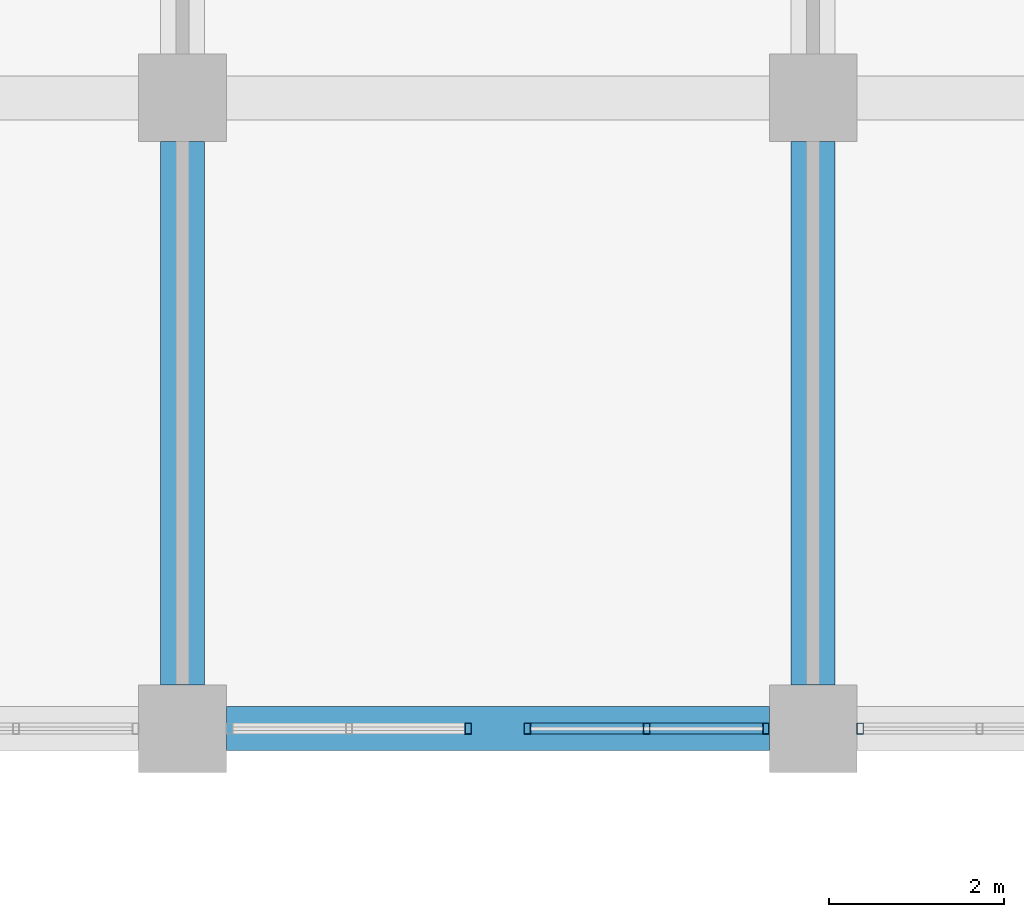
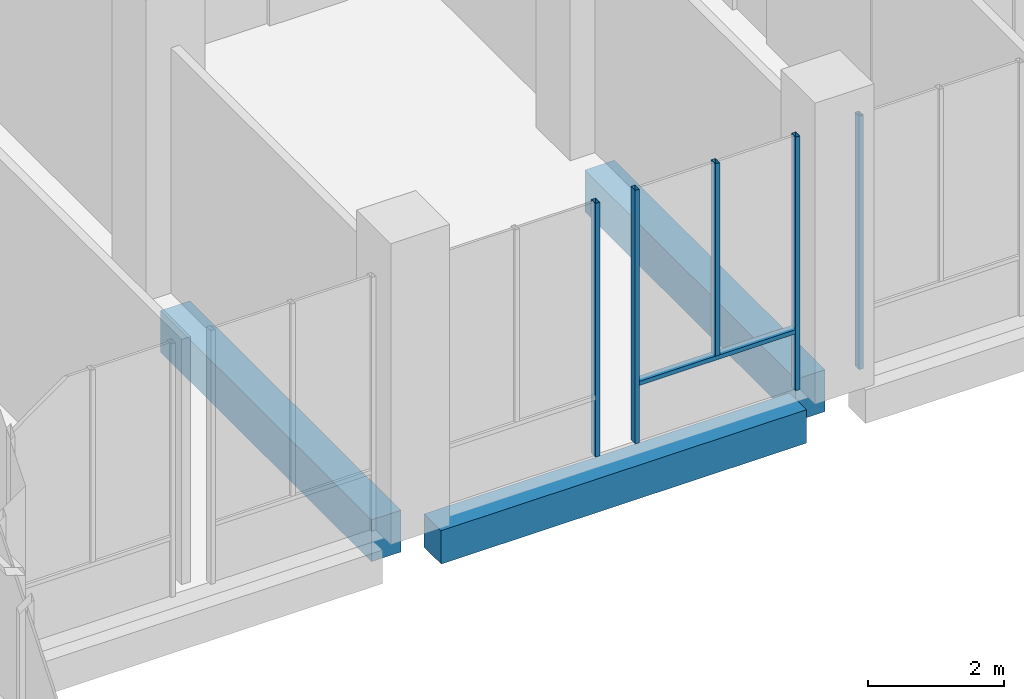
# One storey, part 8 of 48: 6 members, 3 beams, 3 elements without a shape of their own.
"""IFC4 building model written with IfcOpenShell, lengths in metres."""

from ifc_helpers import new_model, si_unit, direction, frame, origin, origin_2d, place, context, subcontext, project, spatial, rectangle, hollow_rectangle, extrude, material, material_profile, profile_set, type_object, element, aggregate, save


model = new_model("IFC4")

# Units and contexts
model_context = context("Model", 3, precision=1e-05, world=origin(), true_north=direction((0.0, 1.0)))
body_context = subcontext(model_context, "Body", "Model", "MODEL_VIEW")
ifc_project = project(units=[si_unit("LENGTHUNIT", "METRE"), si_unit("AREAUNIT", "SQUARE_METRE"), si_unit("VOLUMEUNIT", "CUBIC_METRE"), si_unit("PLANEANGLEUNIT", "RADIAN"), si_unit("MASSUNIT", "GRAM", prefix="KILO")], contexts=[model_context])

# Site, building, storey
site_placement = place(None, origin())
site = spatial("IfcSite", under=ifc_project, at=site_placement, CompositionType="ELEMENT")
building_placement = place(site_placement, origin())
building = spatial("IfcBuilding", under=site, at=building_placement, Name="Silangan Lancet Faculty of Sciences", CompositionType="ELEMENT")
storey_placement = place(building_placement, frame((0.0, 0.0, 6.0)))
storey = spatial("IfcBuildingStorey", under=building, at=storey_placement, Name="L01", CompositionType="ELEMENT", Elevation=6.0)

# Beams
ifc_material_1 = material(Name="Concrete C40/50", Category="concrete")
ifc_material_profile_1 = material_profile(ifc_material_1, rectangle(XDim=0.5, YDim=0.60009765625, at=origin_2d()), Name="RC 500x600")
ifc_profile_set_1 = profile_set([ifc_material_profile_1], Name="Concrete C40/50")
beam_type_1 = type_object("IfcBeamType", Name="BEAM RC 500x600", PredefinedType="BEAM", material=ifc_profile_set_1)
beam_placement = place(storey_placement, frame((7.699951171875, 36.0, -0.550048828125), z_axis=(1.0, 0.0, 0.0), x_axis=(0.0, 1.0, 0.0)))
element("IfcBeam", 1, at=beam_placement, inside=storey, type_object=beam_type_1, Name="BM-L01-2F-3F", PredefinedType="BEAM", context=body_context, shape_type="SweptSolid", body=[
    extrude(rectangle(XDim=0.5, YDim=0.60009765625, at=origin_2d()), origin(), (0.0, 0.0, 1.0), 6.199951171875),
])
ifc_material_2 = material(Name="Concrete C40/50", Category="concrete")
ifc_material_profile_2 = material_profile(ifc_material_2, rectangle(XDim=0.5, YDim=0.75, at=origin_2d()), Name="RC 500x750")
ifc_profile_set_2 = profile_set([ifc_material_profile_2], Name="Concrete C40/50")
beam_type_2 = type_object("IfcBeamType", Name="BEAM RC 500x750", PredefinedType="BEAM", material=ifc_profile_set_2)
for number, where, z_axis, x_axis, name in (
    (2, (7.199951171875, 36.5, -0.625), (0.0, 1.0, 0.0), (-1.0, 0.0, 0.0), "BM-L01-2F-2G"),
    (3, (14.39990234375, 36.5, -0.625), (0.0, 1.0, 0.0), (-1.0, 0.0, 0.0), "BM-L01-3F-3G"),
):
    element("IfcBeam", number, at=place(storey_placement, frame(where, z_axis=z_axis, x_axis=x_axis)), inside=storey, type_object=beam_type_2, Name=name, PredefinedType="BEAM", context=body_context, shape_type="SweptSolid", body=[
        extrude(rectangle(XDim=0.5, YDim=0.75, at=origin_2d()), origin(), (0.0, 0.0, 1.0), 6.199951171875),
    ])

# Curtain wall, member
ifc_material_3 = material(Name="Aluminium framed curtain wall with insulated glass", Category="aluminium")
curtain_wall_type = type_object("IfcCurtainWallType", Name="CW2 Atrium fire-resisting screen", PredefinedType="NOTDEFINED", material=ifc_material_3)
curtain_wall_1_placement = place(storey_placement, origin())
curtain_wall_1 = element("IfcCurtainWall", 4, at=curtain_wall_1_placement, inside=storey, type_object=curtain_wall_type, Name="CW2 Atrium north L01 bay 3", PredefinedType="NOTDEFINED")
ifc_material_4 = material(Name="Steel S355J2H", Category="steel")
ifc_material_profile_3 = material_profile(ifc_material_4, hollow_rectangle(XDim=0.074951171875, YDim=0.125, WallThickness=0.0048828125, at=origin_2d()), Name="ST BOX 75x125x5")
ifc_profile_set_3 = profile_set([ifc_material_profile_3], Name="Steel S355J2H")
member_type_1 = type_object("IfcMemberType", Name="CM2 Mullion 75x125", PredefinedType="MULLION", material=ifc_profile_set_3)
member_1_placement = place(storey_placement, frame((10.46240234375, 36.0, 0.0), z_axis=(0.0, 0.0, 1.0), x_axis=(1.0, 0.0, 0.0)))
member_1 = element("IfcMember", 5, at=member_1_placement, type_object=member_type_1, Name="CW2 Atrium north L01 bay 3 mullion 2", PredefinedType="MULLION", context=body_context, shape_type="SweptSolid", body=[
    extrude(hollow_rectangle(XDim=0.074951171875, YDim=0.125, WallThickness=0.0048828125, at=origin_2d()), origin(), (0.0, 0.0, 1.0), 4.550048828125),
])
aggregate(curtain_wall_1, [member_1])

# Curtain wall, members
curtain_wall_2_placement = place(storey_placement, origin())
curtain_wall_2 = element("IfcCurtainWall", 6, at=curtain_wall_2_placement, inside=storey, type_object=curtain_wall_type, Name="CW2 Atrium north L01 bay 4", PredefinedType="NOTDEFINED")
member_2_placement = place(storey_placement, frame((11.137451171875, 36.0, 0.0), z_axis=(0.0, 0.0, 1.0), x_axis=(1.0, 0.0, 0.0)))
member_2 = element("IfcMember", 7, at=member_2_placement, type_object=member_type_1, Name="CW2 Atrium north L01 bay 4 mullion 1", PredefinedType="MULLION", context=body_context, shape_type="SweptSolid", body=[
    extrude(hollow_rectangle(XDim=0.074951171875, YDim=0.125, WallThickness=0.0048828125, at=origin_2d()), origin(), (0.0, 0.0, 1.0), 4.550048828125),
])
member_3_placement = place(storey_placement, frame((13.862548828125, 36.0, 0.0), z_axis=(0.0, 0.0, 1.0), x_axis=(1.0, 0.0, 0.0)))
member_3 = element("IfcMember", 8, at=member_3_placement, type_object=member_type_1, Name="CW2 Atrium north L01 bay 4 mullion 2", PredefinedType="MULLION", context=body_context, shape_type="SweptSolid", body=[
    extrude(hollow_rectangle(XDim=0.074951171875, YDim=0.125, WallThickness=0.0048828125, at=origin_2d()), origin(), (0.0, 0.0, 1.0), 4.550048828125),
])
member_4_placement = place(storey_placement, frame((12.5, 36.0, 1.10009765625), z_axis=(0.0, 0.0, 1.0), x_axis=(1.0, 0.0, 0.0)))
member_4 = element("IfcMember", 9, at=member_4_placement, type_object=member_type_1, Name="CW2 Atrium north L01 bay 4 mullion 3", PredefinedType="MULLION", context=body_context, shape_type="SweptSolid", body=[
    extrude(hollow_rectangle(XDim=0.074951171875, YDim=0.125, WallThickness=0.0048828125, at=origin_2d()), origin(), (0.0, 0.0, 1.0), 3.449951171875),
])

# Curtain wall, member
curtain_wall_3_placement = place(storey_placement, origin())
curtain_wall_3 = element("IfcCurtainWall", 10, at=curtain_wall_3_placement, inside=storey, type_object=curtain_wall_type, Name="CW2 Atrium north L01 bay 5", PredefinedType="NOTDEFINED")
member_5_placement = place(storey_placement, frame((14.9375, 36.0, 0.0), z_axis=(0.0, 0.0, 1.0), x_axis=(1.0, 0.0, 0.0)))
member_5 = element("IfcMember", 11, at=member_5_placement, type_object=member_type_1, Name="CW2 Atrium north L01 bay 5 mullion 1", PredefinedType="MULLION", context=body_context, shape_type="SweptSolid", body=[
    extrude(hollow_rectangle(XDim=0.074951171875, YDim=0.125, WallThickness=0.0048828125, at=origin_2d()), origin(), (0.0, 0.0, 1.0), 4.550048828125),
])
aggregate(curtain_wall_3, [member_5])

# Member
ifc_material_5 = material(Name="Steel S355J2H", Category="steel")
ifc_material_profile_4 = material_profile(ifc_material_5, hollow_rectangle(XDim=0.125, YDim=0.074951171875, WallThickness=0.0048828125, at=origin_2d()), Name="ST BOX 125x75x5")
ifc_profile_set_4 = profile_set([ifc_material_profile_4], Name="Steel S355J2H")
member_type_2 = type_object("IfcMemberType", Name="CT2 Transom 125x75", PredefinedType="USERDEFINED", material=ifc_profile_set_4)
member_6_placement = place(storey_placement, frame((11.175048828125, 36.0, 1.0625), z_axis=(1.0, 0.0, 0.0), x_axis=(0.0, 1.0, 0.0)))
member_6 = element("IfcMember", 12, at=member_6_placement, type_object=member_type_2, Name="CW2 Atrium north L01 bay 4 transom 1", ObjectType="TRANSOM", PredefinedType="USERDEFINED", context=body_context, shape_type="SweptSolid", body=[
    extrude(hollow_rectangle(XDim=0.125, YDim=0.074951171875, WallThickness=0.0048828125, at=origin_2d()), origin(), (0.0, 0.0, 1.0), 2.64990234375),
])

aggregate(curtain_wall_2, [member_2, member_3, member_4, member_6])

save(model, "model.ifc")
